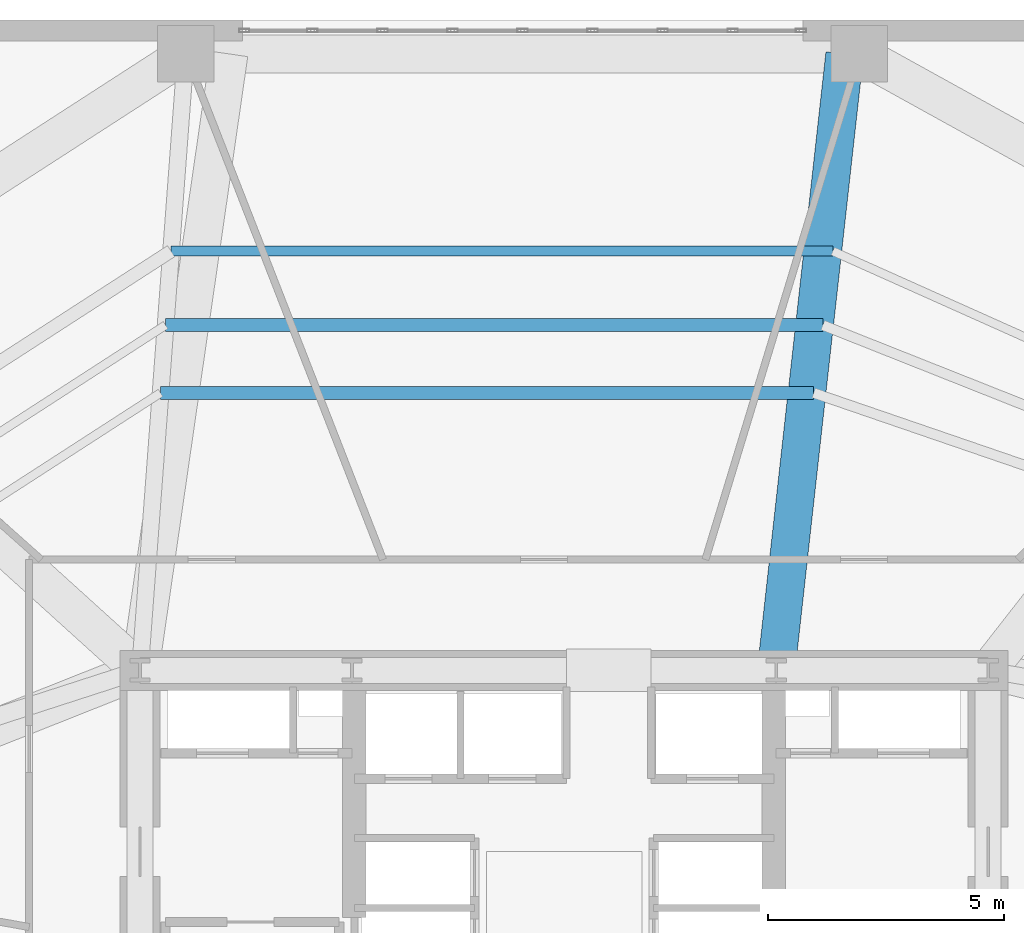
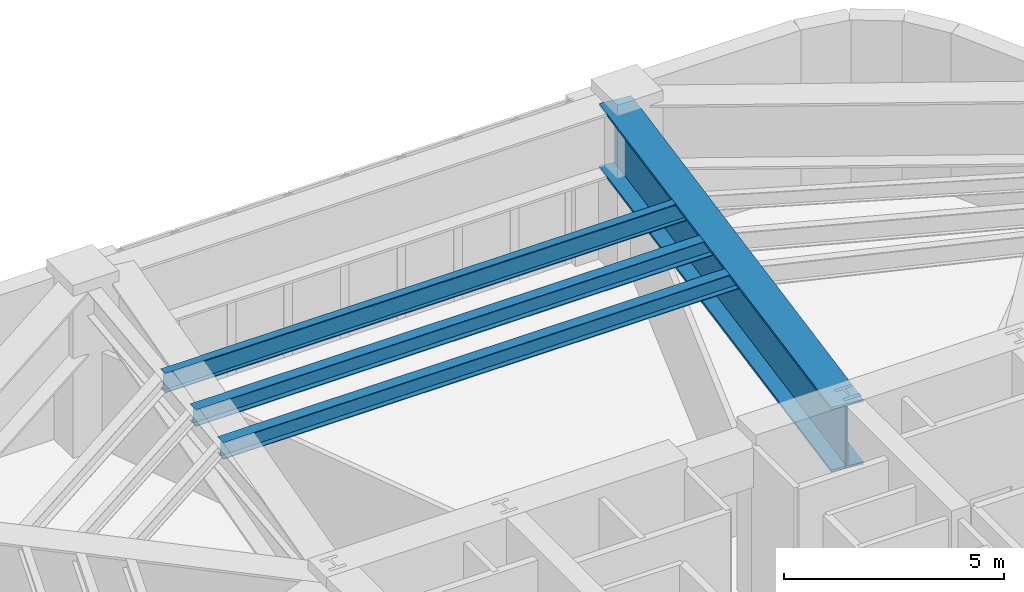
# One storey, part 12 of 22: 4 beams.
"""IFC4 building model written with IfcOpenShell, lengths in metres."""

from ifc_helpers import new_model, si_unit, direction, frame, origin, origin_2d, place, context, subcontext, project, spatial, i_section, extrude, material, material_profile, profile_set, type_object, element, save


model = new_model("IFC4")

# Units and contexts
model_context = context("Model", 3, precision=1e-05, world=origin(), true_north=direction((0.0, 1.0)))
body_context = subcontext(model_context, "Body", "Model", "MODEL_VIEW")
ifc_project = project(units=[si_unit("LENGTHUNIT", "METRE"), si_unit("AREAUNIT", "SQUARE_METRE"), si_unit("VOLUMEUNIT", "CUBIC_METRE"), si_unit("PLANEANGLEUNIT", "RADIAN"), si_unit("MASSUNIT", "GRAM", prefix="KILO")], contexts=[model_context])

# Site, building, storey
site_placement = place(None, origin())
site = spatial("IfcSite", under=ifc_project, at=site_placement, CompositionType="ELEMENT")
building_placement = place(site_placement, origin())
building = spatial("IfcBuilding", under=site, at=building_placement, Name="Kilnhurst Terrace Hotel", CompositionType="ELEMENT")
storey_placement = place(building_placement, frame((0.0, 0.0, 139.5)))
storey = spatial("IfcBuildingStorey", under=building, at=storey_placement, Name="L34", CompositionType="ELEMENT", Elevation=139.5)

# Beams
ifc_material_1 = material(Name="Steel ASTM A992 Grade 50", Category="steel")
ifc_material_profile_1 = material_profile(ifc_material_1, i_section(OverallWidth=0.279296875, OverallDepth=0.462890625, WebThickness=0.0107421875, FlangeThickness=0.017333984375, at=origin_2d()), Name="W18X76")
ifc_profile_set_1 = profile_set([ifc_material_profile_1], Name="Steel ASTM A992 Grade 50")
beam_type_1 = type_object("IfcBeamType", Name="JST-STL-W18X76", PredefinedType="JOIST", material=ifc_profile_set_1)
beam_1_placement = place(storey_placement, frame((5.295654296875, 13.385986328125, 4.26806640625), z_axis=(-1.0, 0.0, 0.0), x_axis=(0.0, -1.0, 0.0)))
element("IfcBeam", 1, at=beam_1_placement, inside=storey, type_object=beam_type_1, Name="L34 Secondary Floor Steel Joist IN.7", PredefinedType="JOIST", context=body_context, shape_type="SweptSolid", body=[
    extrude(i_section(OverallWidth=0.279296875, OverallDepth=0.462890625, WebThickness=0.0107421875, FlangeThickness=0.017333984375, at=origin_2d()), origin(), (0.0, 0.0, 1.0), 13.858154296875),
])
beam_2_placement = place(storey_placement, frame((5.489990234375, 14.82470703125, 4.26806640625), z_axis=(-1.0, 0.0, 0.0), x_axis=(0.0, -1.0, 0.0)))
element("IfcBeam", 2, at=beam_2_placement, inside=storey, type_object=beam_type_1, Name="L34 Secondary Floor Steel Joist MID.7", PredefinedType="JOIST", context=body_context, shape_type="SweptSolid", body=[
    extrude(i_section(OverallWidth=0.279296875, OverallDepth=0.462890625, WebThickness=0.0107421875, FlangeThickness=0.017333984375, at=origin_2d()), origin(), (0.0, 0.0, 1.0), 13.94580078125),
])
ifc_material_profile_2 = material_profile(ifc_material_1, i_section(OverallWidth=0.2138671875, OverallDepth=0.549072265625, WebThickness=0.0146484375, FlangeThickness=0.023681640625, at=origin_2d()), Name="W21X93")
ifc_profile_set_2 = profile_set([ifc_material_profile_2], Name="Steel ASTM A992 Grade 50")
beam_type_2 = type_object("IfcBeamType", Name="JST-STL-W21X93", PredefinedType="JOIST", material=ifc_profile_set_2)
beam_3_placement = place(storey_placement, frame((5.7021484375, 16.394287109375, 4.22509765625), z_axis=(-1.0, 0.0, 0.0), x_axis=(0.0, -1.0, 0.0)))
element("IfcBeam", 3, at=beam_3_placement, inside=storey, type_object=beam_type_2, Name="L34 Secondary Floor Steel Joist OUT.7", PredefinedType="JOIST", context=body_context, shape_type="SweptSolid", body=[
    extrude(i_section(OverallWidth=0.2138671875, OverallDepth=0.549072265625, WebThickness=0.0146484375, FlangeThickness=0.023681640625, at=origin_2d()), origin(), (0.0, 0.0, 1.0), 14.041259765625),
])
ifc_material_2 = material(Name="Steel ASTM A572 Grade 50", Category="steel")
ifc_material_profile_3 = material_profile(ifc_material_2, i_section(OverallWidth=0.800048828125, OverallDepth=1.800048828125, WebThickness=0.0400390625, FlangeThickness=0.06494140625, at=origin_2d()), Name="PG1800X800")
ifc_profile_set_3 = profile_set([ifc_material_profile_3], Name="Steel ASTM A572 Grade 50")
beam_type_3 = type_object("IfcBeamType", Name="TG-STEP-1800", PredefinedType="USERDEFINED", material=ifc_profile_set_3)
beam_4_placement = place(storey_placement, frame((4.5, 7.5, 3.60009765625), z_axis=(0.110580155906, 0.993867208997, 0.0), x_axis=(-0.993867208997, 0.110580155906, 0.0)))
element("IfcBeam", 4, at=beam_4_placement, inside=storey, type_object=beam_type_3, Name="L34 Zone Step Radial Transfer Girder 7", ObjectType="GIRDER", PredefinedType="USERDEFINED", context=body_context, shape_type="SweptSolid", body=[
    extrude(i_section(OverallWidth=0.800048828125, OverallDepth=1.800048828125, WebThickness=0.0400390625, FlangeThickness=0.06494140625, at=origin_2d()), origin(), (0.0, 0.0, 1.0), 13.160888671875),
])

save(model, "model.ifc")
